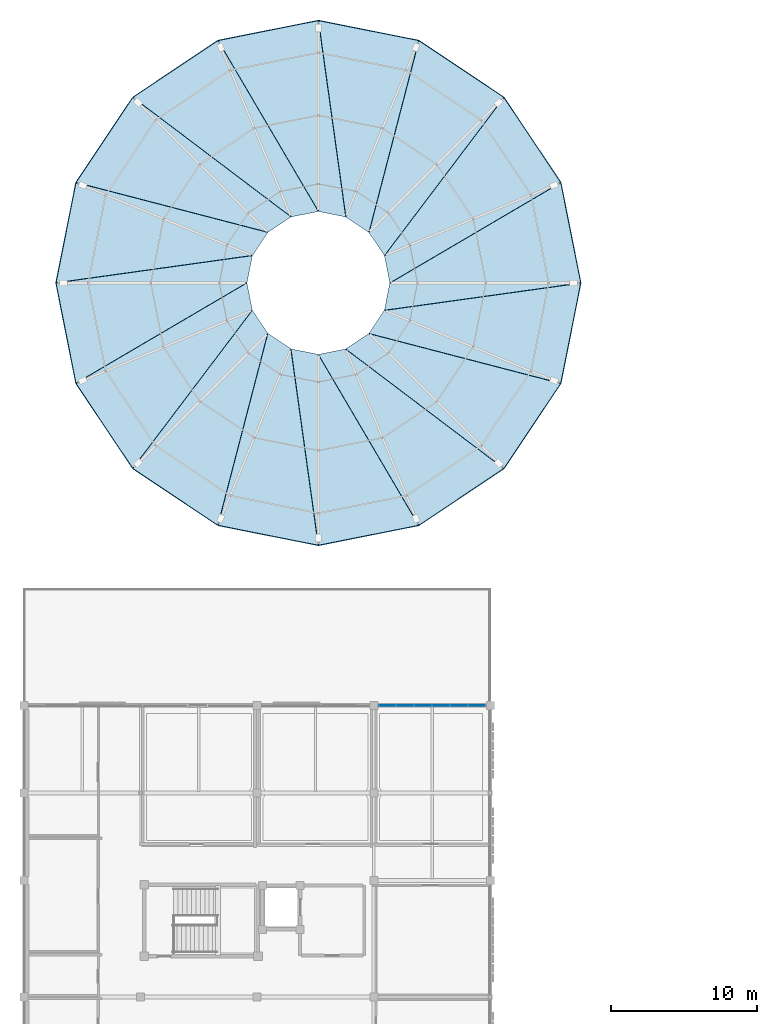
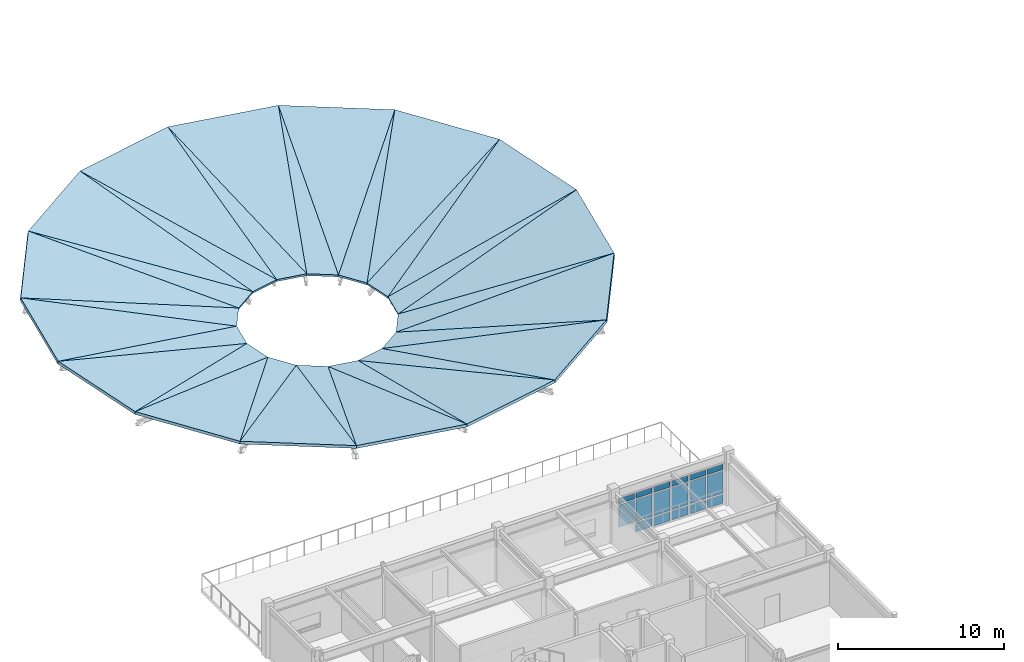
# One storey, part 21 of 31: 32 slabs, 17 plates, 1 element without a shape of its own.
"""IFC4 building model written with IfcOpenShell, lengths in metres."""

from ifc_helpers import new_model, si_unit, direction, frame, origin, origin_2d, place, context, subcontext, project, spatial, polyline, rectangle, outline, extrude, material, layer, layer_set, type_object, element, aggregate, save


model = new_model("IFC4")

# Units and contexts
model_context = context("Model", 3, precision=1e-05, world=origin(), true_north=direction((0.0, 1.0)))
body_context = subcontext(model_context, "Body", "Model", "MODEL_VIEW")
ifc_project = project(units=[si_unit("LENGTHUNIT", "METRE"), si_unit("AREAUNIT", "SQUARE_METRE"), si_unit("VOLUMEUNIT", "CUBIC_METRE"), si_unit("PLANEANGLEUNIT", "RADIAN"), si_unit("MASSUNIT", "GRAM", prefix="KILO")], contexts=[model_context])

# Site, building, storey
site_placement = place(None, origin())
site = spatial("IfcSite", under=ifc_project, at=site_placement, CompositionType="ELEMENT")
building_placement = place(site_placement, origin())
building = spatial("IfcBuilding", under=site, at=building_placement, Name="Celadon Cloister-Ring School", CompositionType="ELEMENT")
storey_placement = place(building_placement, frame((0.0, 0.0, 16.5)))
storey = spatial("IfcBuildingStorey", under=building, at=storey_placement, Name="L04", CompositionType="ELEMENT", Elevation=16.5)

# Curtain wall, plates
ifc_material_1 = material(Name="Aluminium EN AW-6063 T6", Category="aluminium")
curtain_wall_type = type_object("IfcCurtainWallType", Name="CW-16", PredefinedType="USERDEFINED", material=ifc_material_1)
curtain_wall_placement = place(storey_placement, origin())
curtain_wall = element("IfcCurtainWall", 1, at=curtain_wall_placement, inside=storey, type_object=curtain_wall_type, Name="Curtain Wall 0207", ObjectType="CURTAIN WALL", PredefinedType="USERDEFINED")
ifc_material_2 = material(Name="Tempered laminated insulating glass", Category="glass")
ifc_layer_1 = layer(ifc_material_2, 0.02001953125)
ifc_layer_set_1 = layer_set([ifc_layer_1], Name="Tempered laminated insulating glass")
plate_type = type_object("IfcPlateType", Name="CPN-01", PredefinedType="CURTAIN_PANEL", material=ifc_layer_set_1)
plate_1_placement = place(storey_placement, frame((24.92333984375, 68.0, 0.8525390625), z_axis=(0.0, 0.0, 1.0), x_axis=(1.0, 0.0, 0.0)))
plate_1 = element("IfcPlate", 2, at=plate_1_placement, type_object=plate_type, Name="CW-16 panel 1.2", PredefinedType="CURTAIN_PANEL", context=body_context, shape_type="SweptSolid", body=[
    extrude(rectangle(XDim=1.07666015625, YDim=0.02001953125, at=origin_2d()), origin(), (0.0, 0.0, 1.0), 1.613037109375),
])
plate_2_placement = place(storey_placement, frame((24.92333984375, 68.0, 2.570556640625), z_axis=(0.0, 0.0, 1.0), x_axis=(1.0, 0.0, 0.0)))
plate_2 = element("IfcPlate", 3, at=plate_2_placement, type_object=plate_type, Name="CW-16 panel 1.3", PredefinedType="CURTAIN_PANEL", context=body_context, shape_type="SweptSolid", body=[
    extrude(rectangle(XDim=1.07666015625, YDim=0.02001953125, at=origin_2d()), origin(), (0.0, 0.0, 1.0), 0.392578125),
])
plate_3_placement = place(storey_placement, frame((26.137451171875, 68.0, 0.10498046875), z_axis=(0.0, 0.0, 1.0), x_axis=(1.0, 0.0, 0.0)))
plate_3 = element("IfcPlate", 4, at=plate_3_placement, type_object=plate_type, Name="CW-16 panel 2.1", PredefinedType="CURTAIN_PANEL", context=body_context, shape_type="SweptSolid", body=[
    extrude(rectangle(XDim=1.131591796875, YDim=0.02001953125, at=origin_2d()), origin(), (0.0, 0.0, 1.0), 0.642578125),
])
plate_4_placement = place(storey_placement, frame((26.137451171875, 68.0, 0.8525390625), z_axis=(0.0, 0.0, 1.0), x_axis=(1.0, 0.0, 0.0)))
plate_4 = element("IfcPlate", 5, at=plate_4_placement, type_object=plate_type, Name="CW-16 panel 2.2", PredefinedType="CURTAIN_PANEL", context=body_context, shape_type="SweptSolid", body=[
    extrude(rectangle(XDim=1.131591796875, YDim=0.02001953125, at=origin_2d()), origin(), (0.0, 0.0, 1.0), 1.613037109375),
])
plate_5_placement = place(storey_placement, frame((26.137451171875, 68.0, 2.570556640625), z_axis=(0.0, 0.0, 1.0), x_axis=(1.0, 0.0, 0.0)))
plate_5 = element("IfcPlate", 6, at=plate_5_placement, type_object=plate_type, Name="CW-16 panel 2.3", PredefinedType="CURTAIN_PANEL", context=body_context, shape_type="SweptSolid", body=[
    extrude(rectangle(XDim=1.131591796875, YDim=0.02001953125, at=origin_2d()), origin(), (0.0, 0.0, 1.0), 0.392578125),
])
plate_6_placement = place(storey_placement, frame((27.379150390625, 68.0, 0.10498046875), z_axis=(0.0, 0.0, 1.0), x_axis=(1.0, 0.0, 0.0)))
plate_6 = element("IfcPlate", 7, at=plate_6_placement, type_object=plate_type, Name="CW-16 panel 3.1", PredefinedType="CURTAIN_PANEL", context=body_context, shape_type="SweptSolid", body=[
    extrude(rectangle(XDim=1.131591796875, YDim=0.02001953125, at=origin_2d()), origin(), (0.0, 0.0, 1.0), 0.642578125),
])
plate_7_placement = place(storey_placement, frame((27.379150390625, 68.0, 0.8525390625), z_axis=(0.0, 0.0, 1.0), x_axis=(1.0, 0.0, 0.0)))
plate_7 = element("IfcPlate", 8, at=plate_7_placement, type_object=plate_type, Name="CW-16 panel 3.2", PredefinedType="CURTAIN_PANEL", context=body_context, shape_type="SweptSolid", body=[
    extrude(rectangle(XDim=1.131591796875, YDim=0.02001953125, at=origin_2d()), origin(), (0.0, 0.0, 1.0), 1.613037109375),
])
plate_8_placement = place(storey_placement, frame((27.379150390625, 68.0, 2.570556640625), z_axis=(0.0, 0.0, 1.0), x_axis=(1.0, 0.0, 0.0)))
plate_8 = element("IfcPlate", 9, at=plate_8_placement, type_object=plate_type, Name="CW-16 panel 3.3", PredefinedType="CURTAIN_PANEL", context=body_context, shape_type="SweptSolid", body=[
    extrude(rectangle(XDim=1.131591796875, YDim=0.02001953125, at=origin_2d()), origin(), (0.0, 0.0, 1.0), 0.392578125),
])
plate_9_placement = place(storey_placement, frame((28.620849609375, 68.0, 0.10498046875), z_axis=(0.0, 0.0, 1.0), x_axis=(1.0, 0.0, 0.0)))
plate_9 = element("IfcPlate", 10, at=plate_9_placement, type_object=plate_type, Name="CW-16 panel 4.1", PredefinedType="CURTAIN_PANEL", context=body_context, shape_type="SweptSolid", body=[
    extrude(rectangle(XDim=1.131591796875, YDim=0.02001953125, at=origin_2d()), origin(), (0.0, 0.0, 1.0), 0.642578125),
])
plate_10_placement = place(storey_placement, frame((28.620849609375, 68.0, 0.8525390625), z_axis=(0.0, 0.0, 1.0), x_axis=(1.0, 0.0, 0.0)))
plate_10 = element("IfcPlate", 11, at=plate_10_placement, type_object=plate_type, Name="CW-16 panel 4.2", PredefinedType="CURTAIN_PANEL", context=body_context, shape_type="SweptSolid", body=[
    extrude(rectangle(XDim=1.131591796875, YDim=0.02001953125, at=origin_2d()), origin(), (0.0, 0.0, 1.0), 1.613037109375),
])
plate_11_placement = place(storey_placement, frame((28.620849609375, 68.0, 2.570556640625), z_axis=(0.0, 0.0, 1.0), x_axis=(1.0, 0.0, 0.0)))
plate_11 = element("IfcPlate", 12, at=plate_11_placement, type_object=plate_type, Name="CW-16 panel 4.3", PredefinedType="CURTAIN_PANEL", context=body_context, shape_type="SweptSolid", body=[
    extrude(rectangle(XDim=1.131591796875, YDim=0.02001953125, at=origin_2d()), origin(), (0.0, 0.0, 1.0), 0.392578125),
])
plate_12_placement = place(storey_placement, frame((29.862548828125, 68.0, 0.10498046875), z_axis=(0.0, 0.0, 1.0), x_axis=(1.0, 0.0, 0.0)))
plate_12 = element("IfcPlate", 13, at=plate_12_placement, type_object=plate_type, Name="CW-16 panel 5.1", PredefinedType="CURTAIN_PANEL", context=body_context, shape_type="SweptSolid", body=[
    extrude(rectangle(XDim=1.131591796875, YDim=0.02001953125, at=origin_2d()), origin(), (0.0, 0.0, 1.0), 0.642578125),
])
plate_13_placement = place(storey_placement, frame((29.862548828125, 68.0, 0.8525390625), z_axis=(0.0, 0.0, 1.0), x_axis=(1.0, 0.0, 0.0)))
plate_13 = element("IfcPlate", 14, at=plate_13_placement, type_object=plate_type, Name="CW-16 panel 5.2", PredefinedType="CURTAIN_PANEL", context=body_context, shape_type="SweptSolid", body=[
    extrude(rectangle(XDim=1.131591796875, YDim=0.02001953125, at=origin_2d()), origin(), (0.0, 0.0, 1.0), 1.613037109375),
])
plate_14_placement = place(storey_placement, frame((29.862548828125, 68.0, 2.570556640625), z_axis=(0.0, 0.0, 1.0), x_axis=(1.0, 0.0, 0.0)))
plate_14 = element("IfcPlate", 15, at=plate_14_placement, type_object=plate_type, Name="CW-16 panel 5.3", PredefinedType="CURTAIN_PANEL", context=body_context, shape_type="SweptSolid", body=[
    extrude(rectangle(XDim=1.131591796875, YDim=0.02001953125, at=origin_2d()), origin(), (0.0, 0.0, 1.0), 0.392578125),
])
plate_15_placement = place(storey_placement, frame((31.07666015625, 68.0, 0.10498046875), z_axis=(0.0, 0.0, 1.0), x_axis=(1.0, 0.0, 0.0)))
plate_15 = element("IfcPlate", 16, at=plate_15_placement, type_object=plate_type, Name="CW-16 panel 6.1", PredefinedType="CURTAIN_PANEL", context=body_context, shape_type="SweptSolid", body=[
    extrude(rectangle(XDim=1.07666015625, YDim=0.02001953125, at=origin_2d()), origin(), (0.0, 0.0, 1.0), 0.642578125),
])
plate_16_placement = place(storey_placement, frame((31.07666015625, 68.0, 0.8525390625), z_axis=(0.0, 0.0, 1.0), x_axis=(1.0, 0.0, 0.0)))
plate_16 = element("IfcPlate", 17, at=plate_16_placement, type_object=plate_type, Name="CW-16 panel 6.2", PredefinedType="CURTAIN_PANEL", context=body_context, shape_type="SweptSolid", body=[
    extrude(rectangle(XDim=1.07666015625, YDim=0.02001953125, at=origin_2d()), origin(), (0.0, 0.0, 1.0), 1.613037109375),
])
plate_17_placement = place(storey_placement, frame((31.07666015625, 68.0, 2.570556640625), z_axis=(0.0, 0.0, 1.0), x_axis=(1.0, 0.0, 0.0)))
plate_17 = element("IfcPlate", 18, at=plate_17_placement, type_object=plate_type, Name="CW-16 panel 6.3", PredefinedType="CURTAIN_PANEL", context=body_context, shape_type="SweptSolid", body=[
    extrude(rectangle(XDim=1.07666015625, YDim=0.02001953125, at=origin_2d()), origin(), (0.0, 0.0, 1.0), 0.392578125),
])
aggregate(curtain_wall, [plate_1, plate_2, plate_3, plate_4, plate_5, plate_6, plate_7, plate_8, plate_9, plate_10, plate_11, plate_12, plate_13, plate_14, plate_15, plate_16, plate_17])

# Slabs
ifc_material_3 = material(Name="Concrete C35/45", Category="concrete")
ifc_layer_2 = layer(ifc_material_3, 0.179931640625)
ifc_layer_set_2 = layer_set([ifc_layer_2], Name="Concrete C35/45")
slab_type = type_object("IfcSlabType", Name="SL-RF1", PredefinedType="ROOF", material=ifc_layer_set_2)
slab_1_placement = place(storey_placement, frame((25.10009765625, 97.0, -0.050048828125), z_axis=(-0.242266685554, -0.048181986058, 0.969012564052), x_axis=(0.970139309405, 0.0, 0.242548387641)))
element("IfcSlab", 19, at=slab_1_placement, inside=storey, type_object=slab_type, Name="V3 Conical Roof Inner Tri 0141", PredefinedType="ROOF", context=body_context, shape_type="SweptSolid", body=[
    extrude(outline(polyline([(0.0, 0.0), (13.503064342027946, 0.0), (12.174096650360239, 6.895948589496147), (0.0, 0.0)])), origin(), (0.0, 0.0, -1.0), 0.179931640625),
])
slab_2_placement = place(storey_placement, frame((25.10009765625, 97.0, -0.050048828125), z_axis=(-0.242257088494, -0.048199066565, 0.969014113961), x_axis=(0.838363333235, 0.492293733517, 0.234080758343)))
element("IfcSlab", 20, at=slab_2_placement, inside=storey, type_object=slab_type, Name="V3 Conical Roof Outer Tri 0142", PredefinedType="ROOF", context=body_context, shape_type="SweptSolid", body=[
    extrude(outline(polyline([(0.0, 0.0), (13.99152372693147, 2.220446049250313e-16), (0.6103019287666878, 1.8117175626159083), (0.0, 0.0)])), origin(), (0.0, 0.0, -1.0), 0.179931640625),
])
slab_3_placement = place(storey_placement, frame((24.72705078125, 98.875, -0.050048828125), z_axis=(-0.205382192922, -0.13722769071, 0.969013269121), x_axis=(0.896300694888, 0.371237789328, 0.2425439509)))
element("IfcSlab", 21, at=slab_3_placement, inside=storey, type_object=slab_type, Name="V3 Conical Roof Inner Tri 0143", PredefinedType="ROOF", context=body_context, shape_type="SweptSolid", body=[
    extrude(outline(polyline([(0.0, 0.0), (13.503311347161157, 2.7755575615628914e-16), (12.173918073751658, 6.896790663513202), (0.0, 0.0)])), origin(), (0.0, 0.0, -1.0), 0.179931640625),
])
slab_4_placement = place(storey_placement, frame((24.72705078125, 98.875, -0.050048828125), z_axis=(-0.205419303374, -0.137198521369, 0.969009533253), x_axis=(0.586124548938, 0.775671480411, 0.23407641404)))
element("IfcSlab", 22, at=slab_4_placement, inside=storey, type_object=slab_type, Name="V3 Conical Roof Outer Tri 0144", PredefinedType="ROOF", context=body_context, shape_type="SweptSolid", body=[
    extrude(outline(polyline([(0.0, 0.0), (13.991783400365382, 2.7755575615628914e-16), (0.6109146884854958, 1.8119138042598113), (0.0, 0.0)])), origin(), (0.0, 0.0, -1.0), 0.179931640625),
])
slab_5_placement = place(storey_placement, frame((23.6650390625, 100.465087890625, -0.050048828125), z_axis=(-0.137225978821, -0.205392481502, 0.969011330831), x_axis=(0.685991841265, 0.685991841265, 0.242549762805)))
element("IfcSlab", 23, at=slab_5_placement, inside=storey, type_object=slab_type, Name="V3 Conical Roof Inner Tri 0145", PredefinedType="ROOF", context=body_context, shape_type="SweptSolid", body=[
    extrude(outline(polyline([(0.0, 0.0), (13.502987784880547, 1.6653345369377348e-16), (12.173376156999572, 6.896610441966601), (0.0, 0.0)])), origin(), (0.0, 0.0, -1.0), 0.179931640625),
])
slab_6_placement = place(storey_placement, frame((23.6650390625, 100.465087890625, -0.050048828125), z_axis=(-0.137187764784, -0.20540319817, 0.969014470158), x_axis=(0.244642769857, 0.940932387945, 0.234085788704)))
element("IfcSlab", 24, at=slab_6_placement, inside=storey, type_object=slab_type, Name="V3 Conical Roof Outer Tri 0146", PredefinedType="ROOF", context=body_context, shape_type="SweptSolid", body=[
    extrude(outline(polyline([(0.0, 0.0), (13.99122305761896, 2.220446049250313e-16), (0.610277716670663, 1.8121284444569137), (0.0, 0.0)])), origin(), (0.0, 0.0, -1.0), 0.179931640625),
])
slab_7_placement = place(storey_placement, frame((22.074951171875, 101.527099609375, -0.050048828125), z_axis=(-0.048190275069, -0.242265187192, 0.969012526474), x_axis=(0.371243805384, 0.896297139448, 0.242547881421)))
element("IfcSlab", 25, at=slab_7_placement, inside=storey, type_object=slab_type, Name="V3 Conical Roof Inner Tri 0147", PredefinedType="ROOF", context=body_context, shape_type="SweptSolid", body=[
    extrude(outline(polyline([(0.0, 0.0), (13.50309252418333, -1.1102230246251565e-16), (12.174019786217766, 6.895976847017074), (0.0, 0.0)])), origin(), (0.0, 0.0, -1.0), 0.179931640625),
])
slab_8_placement = place(storey_placement, frame((22.074951171875, 101.527099609375, -0.050048828125), z_axis=(-0.048168617033, -0.242262592542, 0.969014252004), x_axis=(-0.134010214526, 0.962936678202, 0.234081644253)))
element("IfcSlab", 26, at=slab_8_placement, inside=storey, type_object=slab_type, Name="V3 Conical Roof Outer Tri 0148", PredefinedType="ROOF", context=body_context, shape_type="SweptSolid", body=[
    extrude(outline(polyline([(0.0, 0.0), (13.991470774361686, 2.220446049250313e-16), (0.6102545788990893, 1.8116832581028541), (0.0, 0.0)])), origin(), (0.0, 0.0, -1.0), 0.179931640625),
])
slab_9_placement = place(storey_placement, frame((20.199951171875, 101.89990234375, -0.050048828125), z_axis=(0.048189709867, -0.242262345774, 0.969013264968), x_axis=(0.0, 0.970140373041, 0.242544133295)))
element("IfcSlab", 27, at=slab_9_placement, inside=storey, type_object=slab_type, Name="V3 Conical Roof Inner Tri 0149", PredefinedType="ROOF", context=body_context, shape_type="SweptSolid", body=[
    extrude(outline(polyline([(0.0, 0.0), (13.50330119257512, -2.7755575615628914e-17), (12.174095193183966, 6.895951161992187), (0.0, 0.0)])), origin(), (0.0, 0.0, -1.0), 0.179931640625),
])
slab_10_placement = place(storey_placement, frame((20.199951171875, 101.89990234375, -0.050048828125), z_axis=(0.048170692498, -0.242273031032, 0.969011539054), x_axis=(-0.492293733517, 0.838363333235, 0.234080758343)))
element("IfcSlab", 28, at=slab_10_placement, inside=storey, type_object=slab_type, Name="V3 Conical Roof Outer Tri 0150", PredefinedType="ROOF", context=body_context, shape_type="SweptSolid", body=[
    extrude(outline(polyline([(0.0, 0.0), (13.99152372693147, 1.1102230246251565e-16), (0.610506607314841, 1.8115983443308843), (0.0, 0.0)])), origin(), (0.0, 0.0, -1.0), 0.179931640625),
])
slab_11_placement = place(storey_placement, frame((18.324951171875, 101.527099609375, -0.050048828125), z_axis=(0.137223049741, -0.205388097413, 0.969012674871), x_axis=(-0.371243805384, 0.896297139448, 0.242547881421)))
element("IfcSlab", 29, at=slab_11_placement, inside=storey, type_object=slab_type, Name="V3 Conical Roof Inner Tri 0151", PredefinedType="ROOF", context=body_context, shape_type="SweptSolid", body=[
    extrude(outline(polyline([(0.0, 0.0), (13.50309252418333, 2.7755575615628914e-16), (12.173967081294258, 6.896704156791414), (0.0, 0.0)])), origin(), (0.0, 0.0, -1.0), 0.179931640625),
])
slab_12_placement = place(storey_placement, frame((18.324951171875, 101.527099609375, -0.050048828125), z_axis=(0.137209910718, -0.205404813471, 0.9690109922), x_axis=(-0.775671480411, 0.586124548938, 0.23407641404)))
element("IfcSlab", 30, at=slab_12_placement, inside=storey, type_object=slab_type, Name="V3 Conical Roof Outer Tri 0152", PredefinedType="ROOF", context=body_context, shape_type="SweptSolid", body=[
    extrude(outline(polyline([(0.0, 0.0), (13.991783400365382, -5.551115123125783e-17), (0.6107253155654736, 1.811763403180406), (0.0, 0.0)])), origin(), (0.0, 0.0, -1.0), 0.179931640625),
])
slab_13_placement = place(storey_placement, frame((16.735107421875, 100.465087890625, -0.050048828125), z_axis=(0.205389434302, -0.137223942938, 0.969012265021), x_axis=(-0.686001413172, 0.685983332907, 0.24254675446)))
element("IfcSlab", 31, at=slab_13_placement, inside=storey, type_object=slab_type, Name="V3 Conical Roof Inner Tri 0153", PredefinedType="ROOF", context=body_context, shape_type="SweptSolid", body=[
    extrude(outline(polyline([(0.0, 0.0), (13.503155264525873, 6.661338147750939e-16), (12.173630674399675, 6.896627221583665), (0.0, 0.0)])), origin(), (0.0, 0.0, -1.0), 0.179931640625),
])
slab_14_placement = place(storey_placement, frame((16.735107421875, 100.465087890625, -0.050048828125), z_axis=(0.205400150641, -0.137185729355, 0.969015404304), x_axis=(-0.940934388422, 0.244638753165, 0.234081945343)))
element("IfcSlab", 32, at=slab_14_placement, inside=storey, type_object=slab_type, Name="V3 Conical Roof Outer Tri 0154", PredefinedType="ROOF", context=body_context, shape_type="SweptSolid", body=[
    extrude(outline(polyline([(0.0, 0.0), (13.991452777684437, 2.7755575615628914e-16), (0.6102862280932889, 1.812125578008946), (0.0, 0.0)])), origin(), (0.0, 0.0, -1.0), 0.179931640625),
])
slab_15_placement = place(storey_placement, frame((15.673095703125, 98.875, -0.050048828125), z_axis=(0.242260947704, -0.04818943177, 0.969013628327), x_axis=(-0.896300694888, 0.371237789328, 0.2425439509)))
element("IfcSlab", 33, at=slab_15_placement, inside=storey, type_object=slab_type, Name="V3 Conical Roof Inner Tri 0155", PredefinedType="ROOF", context=body_context, shape_type="SweptSolid", body=[
    extrude(outline(polyline([(0.0, 0.0), (13.503311347161157, 8.049116928532385e-16), (12.174284918793637, 6.895985772179314), (0.0, 0.0)])), origin(), (0.0, 0.0, -1.0), 0.179931640625),
])
slab_16_placement = place(storey_placement, frame((15.673095703125, 98.875, -0.050048828125), z_axis=(0.242262224314, -0.048200088379, 0.969012779147), x_axis=(-0.962937947654, -0.134007962853, 0.234077711155)))
element("IfcSlab", 34, at=slab_16_placement, inside=storey, type_object=slab_type, Name="V3 Conical Roof Outer Tri 0156", PredefinedType="ROOF", context=body_context, shape_type="SweptSolid", body=[
    extrude(outline(polyline([(0.0, 0.0), (13.991705866479103, 5.551115123125783e-17), (0.6104859225400234, 1.8116555713842855), (0.0, 0.0)])), origin(), (0.0, 0.0, -1.0), 0.179931640625),
])
slab_17_placement = place(storey_placement, frame((15.300048828125, 97.0, -0.050048828125), z_axis=(0.242262345774, 0.048189709867, 0.969013264968), x_axis=(-0.970140373041, 0.0, 0.242544133295)))
element("IfcSlab", 35, at=slab_17_placement, inside=storey, type_object=slab_type, Name="V3 Conical Roof Inner Tri 0157", PredefinedType="ROOF", context=body_context, shape_type="SweptSolid", body=[
    extrude(outline(polyline([(0.0, 0.0), (13.50330119257512, -2.7755575615628914e-17), (12.174095193183966, 6.895951161992187), (0.0, 0.0)])), origin(), (0.0, 0.0, -1.0), 0.179931640625),
])
slab_18_placement = place(storey_placement, frame((15.300048828125, 97.0, -0.050048828125), z_axis=(0.242257088494, 0.048199066565, 0.969014113961), x_axis=(-0.838363333235, -0.492293733517, 0.234080758343)))
element("IfcSlab", 36, at=slab_18_placement, inside=storey, type_object=slab_type, Name="V3 Conical Roof Outer Tri 0158", PredefinedType="ROOF", context=body_context, shape_type="SweptSolid", body=[
    extrude(outline(polyline([(0.0, 0.0), (13.99152372693147, 2.220446049250313e-16), (0.6103019287666878, 1.8117175626159083), (0.0, 0.0)])), origin(), (0.0, 0.0, -1.0), 0.179931640625),
])
slab_19_placement = place(storey_placement, frame((15.673095703125, 95.125, -0.050048828125), z_axis=(0.205385050339, 0.137221013942, 0.969013609002), x_axis=(-0.896300694888, -0.371237789328, 0.2425439509)))
element("IfcSlab", 37, at=slab_19_placement, inside=storey, type_object=slab_type, Name="V3 Conical Roof Inner Tri 0159", PredefinedType="ROOF", context=body_context, shape_type="SweptSolid", body=[
    extrude(outline(polyline([(0.0, 0.0), (13.503311347161157, 3.0531133177191805e-16), (12.174136897163496, 6.896694712013317), (0.0, 0.0)])), origin(), (0.0, 0.0, -1.0), 0.179931640625),
])
slab_20_placement = place(storey_placement, frame((15.673095703125, 95.125, -0.050048828125), z_axis=(0.205416255383, 0.137196485632, 0.969010467619), x_axis=(-0.586136003204, -0.775663547465, 0.234074020094)))
element("IfcSlab", 38, at=slab_20_placement, inside=storey, type_object=slab_type, Name="V3 Conical Roof Outer Tri 0160", PredefinedType="ROOF", context=body_context, shape_type="SweptSolid", body=[
    extrude(outline(polyline([(0.0, 0.0), (13.991926498577318, -3.885780586188048e-16), (0.6108899098387258, 1.8119221585740997), (0.0, 0.0)])), origin(), (0.0, 0.0, -1.0), 0.179931640625),
])
slab_21_placement = place(storey_placement, frame((16.735107421875, 93.534912109375, -0.050048828125), z_axis=(0.137224618608, 0.205390445609, 0.969011954983), x_axis=(-0.686001413172, -0.685983332907, 0.24254675446)))
element("IfcSlab", 39, at=slab_21_placement, inside=storey, type_object=slab_type, Name="V3 Conical Roof Inner Tri 0161", PredefinedType="ROOF", context=body_context, shape_type="SweptSolid", body=[
    extrude(outline(polyline([(0.0, 0.0), (13.503155264525873, 3.608224830031759e-16), (12.173454537482497, 6.896593263759968), (0.0, 0.0)])), origin(), (0.0, 0.0, -1.0), 0.179931640625),
])
slab_22_placement = place(storey_placement, frame((16.735107421875, 93.534912109375, -0.050048828125), z_axis=(0.137204148076, 0.205396186729, 0.969013636761), x_axis=(-0.24465917495, -0.940928371074, 0.234084789384)))
element("IfcSlab", 40, at=slab_22_placement, inside=storey, type_object=slab_type, Name="V3 Conical Roof Outer Tri 0162", PredefinedType="ROOF", context=body_context, shape_type="SweptSolid", body=[
    extrude(outline(polyline([(0.0, 0.0), (13.991282786860275, -6.106226635438361e-16), (0.6103070964104789, 1.8119043264608106), (0.0, 0.0)])), origin(), (0.0, 0.0, -1.0), 0.179931640625),
])
slab_23_placement = place(storey_placement, frame((18.324951171875, 92.472900390625, -0.050048828125), z_axis=(0.048190275069, 0.242265187192, 0.969012526474), x_axis=(-0.371243805384, -0.896297139448, 0.242547881421)))
element("IfcSlab", 41, at=slab_23_placement, inside=storey, type_object=slab_type, Name="V3 Conical Roof Inner Tri 0163", PredefinedType="ROOF", context=body_context, shape_type="SweptSolid", body=[
    extrude(outline(polyline([(0.0, 0.0), (13.50309252418333, -1.1102230246251565e-16), (12.174019786217766, 6.895976847017074), (0.0, 0.0)])), origin(), (0.0, 0.0, -1.0), 0.179931640625),
])
slab_24_placement = place(storey_placement, frame((18.324951171875, 92.472900390625, -0.050048828125), z_axis=(0.048168617033, 0.242262592542, 0.969014252004), x_axis=(0.134010214526, -0.962936678202, 0.234081644253)))
element("IfcSlab", 42, at=slab_24_placement, inside=storey, type_object=slab_type, Name="V3 Conical Roof Outer Tri 0164", PredefinedType="ROOF", context=body_context, shape_type="SweptSolid", body=[
    extrude(outline(polyline([(0.0, 0.0), (13.991470774361686, 2.220446049250313e-16), (0.6102545788990893, 1.8116832581028541), (0.0, 0.0)])), origin(), (0.0, 0.0, -1.0), 0.179931640625),
])
slab_25_placement = place(storey_placement, frame((20.199951171875, 92.10009765625, -0.050048828125), z_axis=(-0.048189709867, 0.242262345774, 0.969013264968), x_axis=(0.0, -0.970140373041, 0.242544133295)))
element("IfcSlab", 43, at=slab_25_placement, inside=storey, type_object=slab_type, Name="V3 Conical Roof Inner Tri 0165", PredefinedType="ROOF", context=body_context, shape_type="SweptSolid", body=[
    extrude(outline(polyline([(0.0, 0.0), (13.50330119257512, -2.7755575615628914e-17), (12.174095193183966, 6.895951161992187), (0.0, 0.0)])), origin(), (0.0, 0.0, -1.0), 0.179931640625),
])
slab_26_placement = place(storey_placement, frame((20.199951171875, 92.10009765625, -0.050048828125), z_axis=(-0.048170692498, 0.242273031032, 0.969011539054), x_axis=(0.492293733517, -0.838363333235, 0.234080758343)))
element("IfcSlab", 44, at=slab_26_placement, inside=storey, type_object=slab_type, Name="V3 Conical Roof Outer Tri 0166", PredefinedType="ROOF", context=body_context, shape_type="SweptSolid", body=[
    extrude(outline(polyline([(0.0, 0.0), (13.99152372693147, 1.1102230246251565e-16), (0.610506607314841, 1.8115983443308843), (0.0, 0.0)])), origin(), (0.0, 0.0, -1.0), 0.179931640625),
])
slab_27_placement = place(storey_placement, frame((22.074951171875, 92.472900390625, -0.050048828125), z_axis=(-0.137223049741, 0.205388097413, 0.969012674871), x_axis=(0.371243805384, -0.896297139448, 0.242547881421)))
element("IfcSlab", 45, at=slab_27_placement, inside=storey, type_object=slab_type, Name="V3 Conical Roof Inner Tri 0167", PredefinedType="ROOF", context=body_context, shape_type="SweptSolid", body=[
    extrude(outline(polyline([(0.0, 0.0), (13.50309252418333, 2.7755575615628914e-16), (12.173967081294258, 6.896704156791414), (0.0, 0.0)])), origin(), (0.0, 0.0, -1.0), 0.179931640625),
])
slab_28_placement = place(storey_placement, frame((22.074951171875, 92.472900390625, -0.050048828125), z_axis=(-0.137198521369, 0.205419303374, 0.969009533253), x_axis=(0.775671480411, -0.586124548938, 0.23407641404)))
element("IfcSlab", 46, at=slab_28_placement, inside=storey, type_object=slab_type, Name="V3 Conical Roof Outer Tri 0168", PredefinedType="ROOF", context=body_context, shape_type="SweptSolid", body=[
    extrude(outline(polyline([(0.0, 0.0), (13.991783400365382, 2.7755575615628914e-16), (0.6109146884854958, 1.8119138042598113), (0.0, 0.0)])), origin(), (0.0, 0.0, -1.0), 0.179931640625),
])
slab_29_placement = place(storey_placement, frame((23.6650390625, 93.534912109375, -0.050048828125), z_axis=(-0.205387406395, 0.137231174132, 0.969011670797), x_axis=(0.685991841265, -0.685991841265, 0.242549762805)))
element("IfcSlab", 47, at=slab_29_placement, inside=storey, type_object=slab_type, Name="V3 Conical Roof Inner Tri 0169", PredefinedType="ROOF", context=body_context, shape_type="SweptSolid", body=[
    extrude(outline(polyline([(0.0, 0.0), (13.502987784880547, -3.608224830031759e-16), (12.173543635476443, 6.8967808566986175), (0.0, 0.0)])), origin(), (0.0, 0.0, -1.0), 0.179931640625),
])
slab_30_placement = place(storey_placement, frame((23.6650390625, 93.534912109375, -0.050048828125), z_axis=(-0.205400150641, 0.137185729355, 0.969015404304), x_axis=(0.940934388422, -0.244638753165, 0.234081945343)))
element("IfcSlab", 48, at=slab_30_placement, inside=storey, type_object=slab_type, Name="V3 Conical Roof Outer Tri 0170", PredefinedType="ROOF", context=body_context, shape_type="SweptSolid", body=[
    extrude(outline(polyline([(0.0, 0.0), (13.991452777684437, 2.7755575615628914e-16), (0.6102862280932889, 1.812125578008946), (0.0, 0.0)])), origin(), (0.0, 0.0, -1.0), 0.179931640625),
])
slab_31_placement = place(storey_placement, frame((24.72705078125, 95.125, -0.050048828125), z_axis=(-0.242264133367, 0.048181478479, 0.969013227369), x_axis=(0.896300694888, -0.371237789328, 0.2425439509)))
element("IfcSlab", 49, at=slab_31_placement, inside=storey, type_object=slab_type, Name="V3 Conical Roof Inner Tri 0171", PredefinedType="ROOF", context=body_context, shape_type="SweptSolid", body=[
    extrude(outline(polyline([(0.0, 0.0), (13.503311347161157, 3.608224830031759e-16), (12.174066095381798, 6.8958950931037615), (0.0, 0.0)])), origin(), (0.0, 0.0, -1.0), 0.179931640625),
])
slab_32_placement = place(storey_placement, frame((24.72705078125, 95.125, -0.050048828125), z_axis=(-0.242266463843, 0.048200931869, 0.969011677259), x_axis=(0.962936678202, 0.134010214526, 0.234081644253)))
element("IfcSlab", 50, at=slab_32_placement, inside=storey, type_object=slab_type, Name="V3 Conical Roof Outer Tri 0172", PredefinedType="ROOF", context=body_context, shape_type="SweptSolid", body=[
    extrude(outline(polyline([(0.0, 0.0), (13.991470774361686, 1.6653345369377348e-16), (0.610489670861541, 1.8116543082825247), (0.0, 0.0)])), origin(), (0.0, 0.0, -1.0), 0.179931640625),
])

save(model, "model.ifc")
